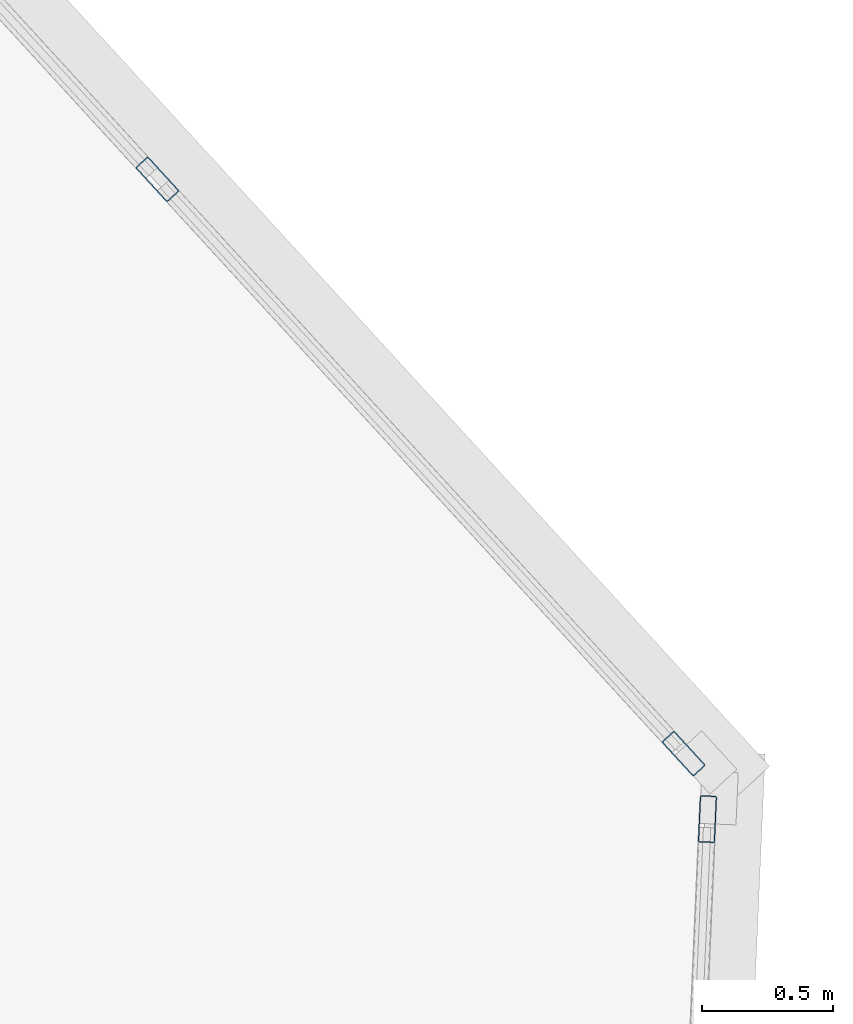
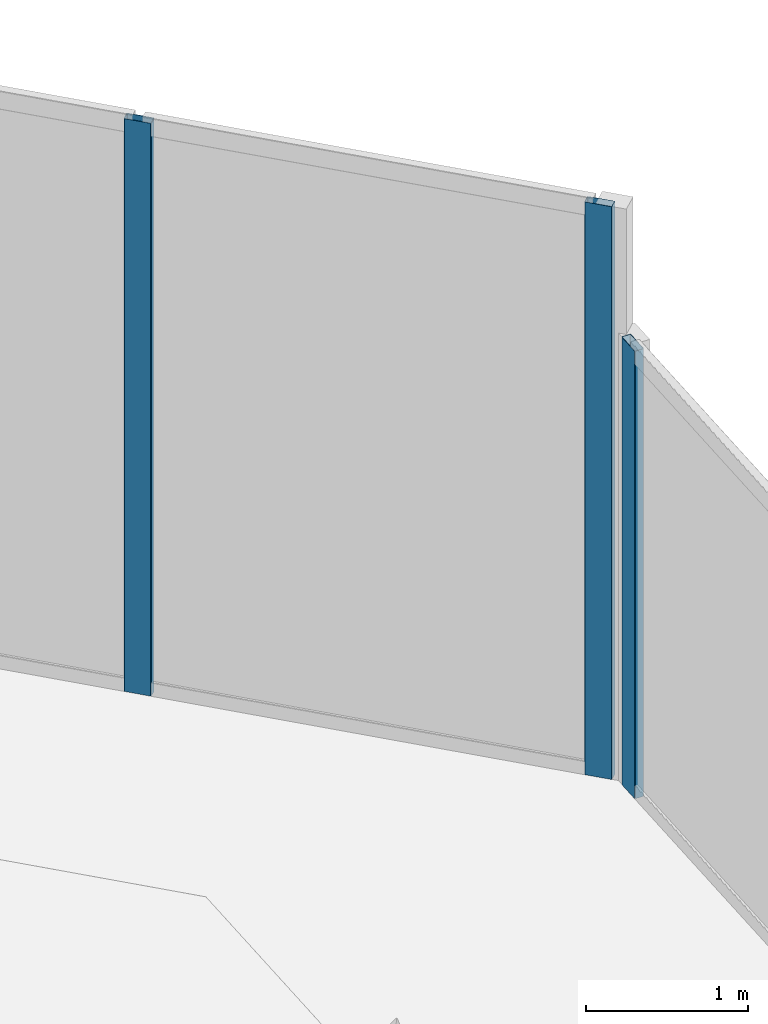
# One storey, part 15 of 27: 3 members, 2 elements without a shape of their own.
"""IFC4 building model written with IfcOpenShell, lengths in metres."""

from ifc_helpers import new_model, si_unit, direction, frame, origin, origin_2d, place, context, subcontext, project, spatial, hollow_rectangle, extrude, source, transform, mapped, material, material_profile, profile_set, type_object, element, aggregate, save


model = new_model("IFC4")

# Units and contexts
model_context = context("Model", 3, precision=1e-05, world=origin(), true_north=direction((0.0, 1.0)))
body_context = subcontext(model_context, "Body", "Model", "MODEL_VIEW")
ifc_project = project(units=[si_unit("LENGTHUNIT", "METRE"), si_unit("AREAUNIT", "SQUARE_METRE"), si_unit("VOLUMEUNIT", "CUBIC_METRE"), si_unit("PLANEANGLEUNIT", "RADIAN"), si_unit("MASSUNIT", "GRAM", prefix="KILO")], contexts=[model_context])

# Site, building, storey
site_placement = place(None, origin())
site = spatial("IfcSite", under=ifc_project, at=site_placement, CompositionType="ELEMENT")
building_placement = place(site_placement, origin())
building = spatial("IfcBuilding", under=site, at=building_placement, Name="Torre Montelarca", CompositionType="ELEMENT")
storey_placement = place(building_placement, frame((0.0, 0.0, 37.60009765625)))
storey = spatial("IfcBuildingStorey", under=building, at=storey_placement, Name="L08", CompositionType="ELEMENT", Elevation=37.60009765625)

# Curtain wall, members
ifc_material_1 = material(Name="Insulated low-E laminated glass", Category="glass")
curtain_wall_type = type_object("IfcCurtainWallType", Name="CW-SYS-Z1", PredefinedType="USERDEFINED", material=ifc_material_1)
curtain_wall_1_placement = place(storey_placement, origin())
curtain_wall_1 = element("IfcCurtainWall", 1, at=curtain_wall_1_placement, inside=storey, type_object=curtain_wall_type, Name="L08 Curtain Wall Run CW-T3-L08-E07-B1", ObjectType="UNITISED GLAZING", PredefinedType="USERDEFINED")
ifc_material_2 = material(Name="Anodised aluminium AA 6063-T6", Category="aluminium")
ifc_material_profile = material_profile(ifc_material_2, hollow_rectangle(XDim=0.06494140625, YDim=0.179931640625, WallThickness=0.00390625, InnerFilletRadius=0.00390625, OuterFilletRadius=0.008056640625, at=origin_2d()), Name="ALU65X180X4", Category="aluminium")
ifc_profile_set = profile_set([ifc_material_profile], Name="Anodised aluminium AA 6063-T6")
member_type = type_object("IfcMemberType", Name="CWM-ALU180", PredefinedType="MULLION", material=ifc_profile_set)
shared_shape_1 = source(origin(), body_context, "Body", "SweptSolid", [
    extrude(hollow_rectangle(XDim=0.06494140625, YDim=0.179931640625, WallThickness=0.00390625, InnerFilletRadius=0.00390625, OuterFilletRadius=0.008056640625, at=origin_2d()), origin(), (0.0, 0.0, 1.0), 4.31982421875),
])
member_1_placement = place(storey_placement, frame((64.14013671875, 41.897705078125, 0.0), z_axis=(0.0, 0.0, 1.0), x_axis=(-0.737291747736, -0.675574480513, 0.0)))
member_1 = element("IfcMember", 2, at=member_1_placement, type_object=member_type, Name="CW mullion 1", PredefinedType="MULLION", context=body_context, shape_type="MappedRepresentation", body=[
    mapped(shared_shape_1, transform((0.0, 0.0, 0.0), scale=1.0)),
])
member_2_placement = place(storey_placement, frame((62.12451171875, 44.09765625, 0.0), z_axis=(0.0, 0.0, 1.0), x_axis=(-0.737291747736, -0.675574480513, 0.0)))
member_2 = element("IfcMember", 3, at=member_2_placement, type_object=member_type, Name="CW mullion 2", PredefinedType="MULLION", context=body_context, shape_type="MappedRepresentation", body=[
    mapped(shared_shape_1, transform((0.0, 0.0, 0.0), scale=1.0)),
])
aggregate(curtain_wall_1, [member_1, member_2])

# Curtain wall, member
curtain_wall_2_placement = place(storey_placement, origin())
curtain_wall_2 = element("IfcCurtainWall", 4, at=curtain_wall_2_placement, inside=storey, type_object=curtain_wall_type, Name="L08 Curtain Wall Run CW-T3-L08-E06-B1", ObjectType="UNITISED GLAZING", PredefinedType="USERDEFINED")
shared_shape_2 = source(origin(), body_context, "Body", "SweptSolid", [
    extrude(hollow_rectangle(XDim=0.06494140625, YDim=0.179931640625, WallThickness=0.00390625, InnerFilletRadius=0.00390625, OuterFilletRadius=0.008056640625, at=origin_2d()), origin(), (0.0, 0.0, 1.0), 3.375),
])
member_3_placement = place(storey_placement, frame((64.2314453125, 41.64697265625, 0.0), z_axis=(0.0, 0.0, 1.0), x_axis=(-0.999048300322, 0.043617583889, 0.0)))
member_3 = element("IfcMember", 5, at=member_3_placement, type_object=member_type, Name="CW mullion 3", PredefinedType="MULLION", context=body_context, shape_type="MappedRepresentation", body=[
    mapped(shared_shape_2, transform((0.0, 0.0, 0.0), scale=1.0)),
])
aggregate(curtain_wall_2, [member_3])

save(model, "model.ifc")
